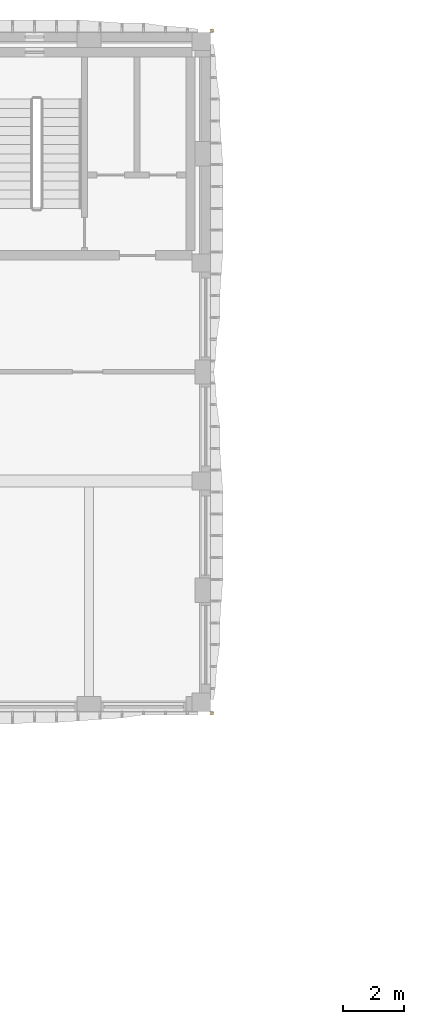
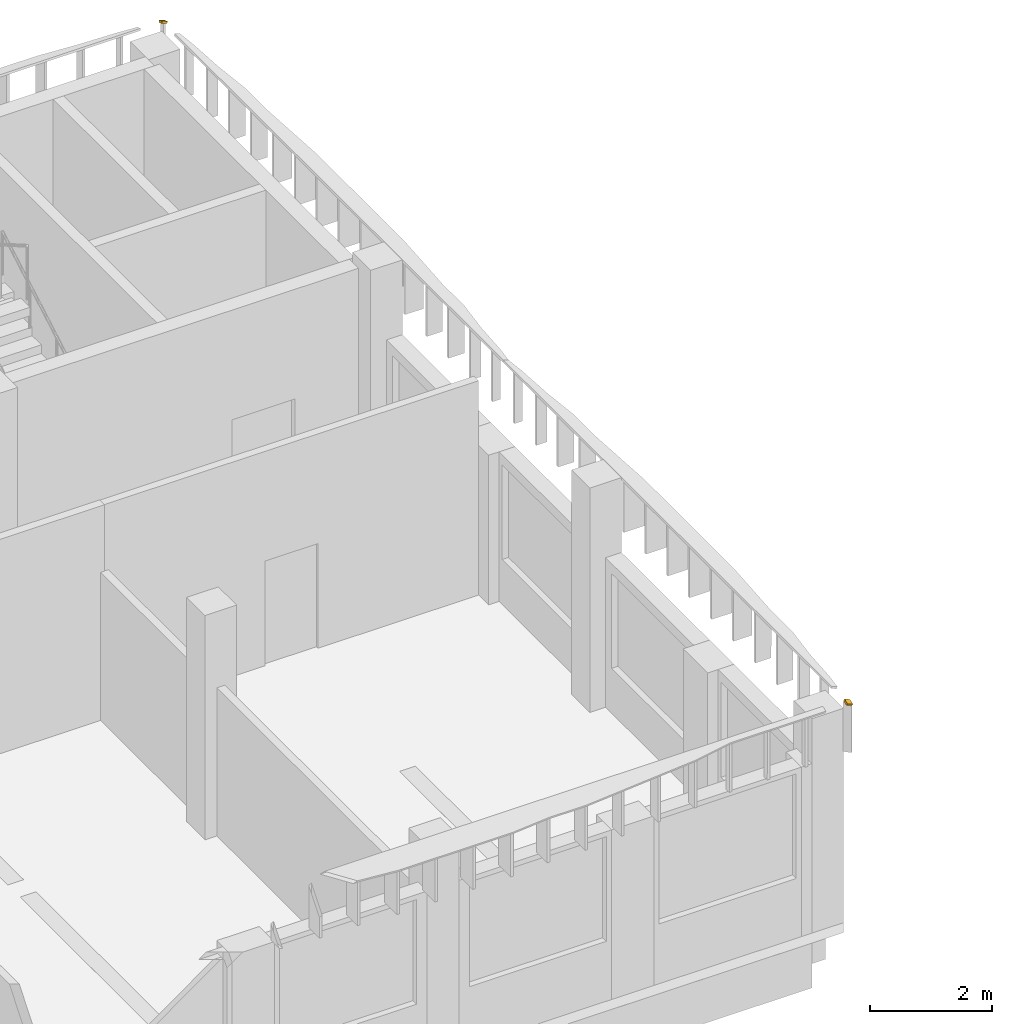
# One storey, part 38 of 38: 2 shading devices.
"""IFC4 building model written with IfcOpenShell, lengths in metres."""

from ifc_helpers import new_model, si_unit, direction, frame, origin, place, context, subcontext, project, spatial, polyline, outline, extrude, material, layer, layer_set, type_object, element, save


model = new_model("IFC4")

# Units and contexts
model_context = context("Model", 3, precision=1e-05, world=origin(), true_north=direction((0.0, 1.0)))
body_context = subcontext(model_context, "Body", "Model", "MODEL_VIEW")
ifc_project = project(units=[si_unit("LENGTHUNIT", "METRE"), si_unit("AREAUNIT", "SQUARE_METRE"), si_unit("VOLUMEUNIT", "CUBIC_METRE"), si_unit("PLANEANGLEUNIT", "RADIAN"), si_unit("MASSUNIT", "GRAM", prefix="KILO")], contexts=[model_context])

# Site, building, storey
site_placement = place(None, origin())
site = spatial("IfcSite", under=ifc_project, at=site_placement, CompositionType="ELEMENT")
building_placement = place(site_placement, origin())
building = spatial("IfcBuilding", under=site, at=building_placement, Name="Ussher Court Research Institute", CompositionType="ELEMENT")
storey_placement = place(building_placement, frame((0.0, 0.0, 23.39990234375)))
storey = spatial("IfcBuildingStorey", under=building, at=storey_placement, Name="L05", CompositionType="ELEMENT", Elevation=23.39990234375)

# Shading devices
ifc_material = material(Name="Bronze anodised aluminium", Category="aluminium")
ifc_layer = layer(ifc_material, 0.0400390625)
ifc_layer_set = layer_set([ifc_layer], Name="Bronze anodised aluminium")
shading_device_type = type_object("IfcShadingDeviceType", Name="Brim visor sheet 40 mm canted 20 deg dry", PredefinedType="USERDEFINED", material=ifc_layer_set)
shading_device_1_placement = place(storey_placement, frame((82.61279296875, 90.81298828125, 4.485595703125), z_axis=(0.323142227815, 0.323932306611, 0.889183311436), x_axis=(0.939860335167, 0.0, -0.341558999853)))
element("IfcShadingDevice", 1, at=shading_device_1_placement, inside=storey, type_object=shading_device_type, Name="Brim visor sheet BR2 L05", ObjectType="BRIM", PredefinedType="USERDEFINED", context=body_context, shape_type="SweptSolid", body=[
    extrude(outline(polyline([(0.0, 0.0), (0.10650269247958763, 0.0), (0.11892756820666907, 0.10554444449850095), (0.01242487572708144, 0.10554444449850096), (0.0, 0.0)])), origin(), (0.0, 0.0, -1.0), 0.0400390625),
])
shading_device_2_placement = place(storey_placement, frame((82.61279296875, 68.38720703125, 4.485595703125), z_axis=(0.323224861095, -0.323224861095, 0.889410691604), x_axis=(0.0, -0.939860335167, -0.341558999853)))
element("IfcShadingDevice", 2, at=shading_device_2_placement, inside=storey, type_object=shading_device_type, Name="Brim visor sheet BR2 L05", ObjectType="BRIM", PredefinedType="USERDEFINED", context=body_context, shape_type="SweptSolid", body=[
    extrude(outline(polyline([(0.0, 0.0), (0.10650269247958763, -1.734723475976807e-18), (0.11892756820666907, 0.10577545068950636), (0.01242487572708144, 0.10577545068950638), (0.0, 0.0)])), origin(), (0.0, 0.0, -1.0), 0.0400390625),
])

save(model, "model.ifc")
